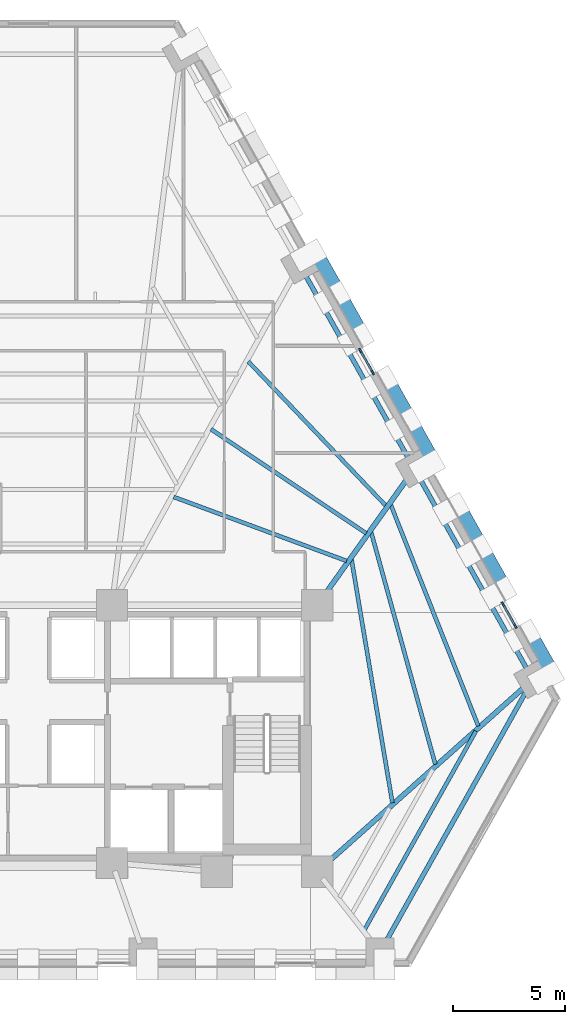
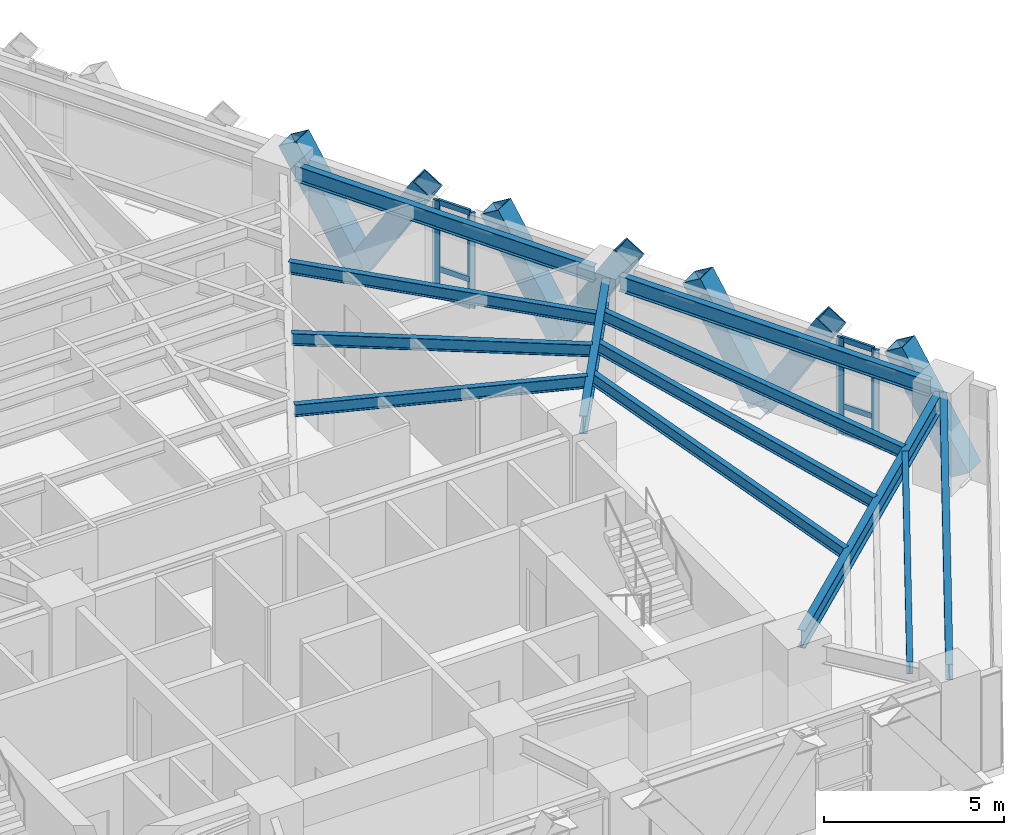
# One storey, part 4 of 13: 17 members, 12 beams, 2 elements without a shape of their own.
"""IFC4 building model written with IfcOpenShell, lengths in metres."""

from ifc_helpers import new_model, si_unit, direction, frame, origin, origin_2d, place, context, subcontext, project, spatial, rectangle, hollow_rectangle, i_section, extrude, material, material_profile, profile_set, type_object, element, aggregate, save


model = new_model("IFC4")

# Units and contexts
model_context = context("Model", 3, precision=1e-05, world=origin(), true_north=direction((0.0, 1.0)))
body_context = subcontext(model_context, "Body", "Model", "MODEL_VIEW")
ifc_project = project(units=[si_unit("LENGTHUNIT", "METRE"), si_unit("AREAUNIT", "SQUARE_METRE"), si_unit("VOLUMEUNIT", "CUBIC_METRE"), si_unit("PLANEANGLEUNIT", "RADIAN"), si_unit("MASSUNIT", "GRAM", prefix="KILO")], contexts=[model_context])

# Site, building, storey
site_placement = place(None, origin())
site = spatial("IfcSite", under=ifc_project, at=site_placement, CompositionType="ELEMENT")
building_placement = place(site_placement, origin())
building = spatial("IfcBuilding", under=site, at=building_placement, Name="Quenlor Broadcast Tower", CompositionType="ELEMENT")
storey_placement = place(building_placement, frame((0.0, 0.0, 59.10009765625)))
storey = spatial("IfcBuildingStorey", under=building, at=storey_placement, Name="L15", CompositionType="ELEMENT", Elevation=59.10009765625)

# Curtain wall, members
ifc_material_1 = material(Name="Architectural Terracotta and Low-E Glazing", Category="masonry")
curtain_wall_type = type_object("IfcCurtainWallType", Name="Unitised Terracotta Curtain Wall System Z1", PredefinedType="NOTDEFINED", material=ifc_material_1)
curtain_wall_1_placement = place(storey_placement, origin())
curtain_wall_1 = element("IfcCurtainWall", 1, at=curtain_wall_1_placement, inside=storey, type_object=curtain_wall_type, Name="L15 Curtain Wall CW1 (L15-NEC-G1)", PredefinedType="NOTDEFINED")
ifc_material_2 = material(Name="Aluminium 6063-T6", Category="aluminium")
ifc_material_profile_1 = material_profile(ifc_material_2, rectangle(XDim=0.080078125, YDim=0.219970703125, at=origin_2d()))
ifc_profile_set_1 = profile_set([ifc_material_profile_1], Name="Aluminium 6063-T6 MULL80x220")
member_type_1 = type_object("IfcMemberType", Name="CW1 Aluminium Mullion MULL_CW1", PredefinedType="MULLION", material=ifc_profile_set_1)
member_1_placement = place(storey_placement, frame((21.277099609375, -4.75244140625, 0.0), z_axis=(0.0, 0.0, 1.0), x_axis=(0.871566703483, 0.490276943553, 0.0)))
member_1 = element("IfcMember", 2, at=member_1_placement, type_object=member_type_1, Name="CW1 mullion 1", PredefinedType="MULLION", context=body_context, shape_type="SweptSolid", body=[
    extrude(rectangle(XDim=0.080078125, YDim=0.219970703125, at=origin_2d()), origin(), (0.0, 0.0, 1.0), 3.25),
])
member_2_placement = place(storey_placement, frame((21.830810546875, -5.73681640625, 0.0), z_axis=(0.0, 0.0, 1.0), x_axis=(0.871566703483, 0.490276943553, 0.0)))
member_2 = element("IfcMember", 3, at=member_2_placement, type_object=member_type_1, Name="CW1 mullion 2", PredefinedType="MULLION", context=body_context, shape_type="SweptSolid", body=[
    extrude(rectangle(XDim=0.080078125, YDim=0.219970703125, at=origin_2d()), origin(), (0.0, 0.0, 1.0), 3.25),
])

curtain_wall_2_placement = place(storey_placement, origin())
curtain_wall_2 = element("IfcCurtainWall", 4, at=curtain_wall_2_placement, inside=storey, type_object=curtain_wall_type, Name="L15 Curtain Wall CW1 (L15-NE-G1)", PredefinedType="NOTDEFINED")
member_3_placement = place(storey_placement, frame((14.8837890625, 6.61376953125, 0.0), z_axis=(0.0, 0.0, 1.0), x_axis=(0.871566703483, 0.490276943553, 0.0)))
member_3 = element("IfcMember", 5, at=member_3_placement, type_object=member_type_1, Name="CW1 mullion 1", PredefinedType="MULLION", context=body_context, shape_type="SweptSolid", body=[
    extrude(rectangle(XDim=0.080078125, YDim=0.219970703125, at=origin_2d()), origin(), (0.0, 0.0, 1.0), 3.25),
])
member_4_placement = place(storey_placement, frame((15.4375, 5.62939453125, 0.0), z_axis=(0.0, 0.0, 1.0), x_axis=(0.871566703483, 0.490276943553, 0.0)))
member_4 = element("IfcMember", 6, at=member_4_placement, type_object=member_type_1, Name="CW1 mullion 2", PredefinedType="MULLION", context=body_context, shape_type="SweptSolid", body=[
    extrude(rectangle(XDim=0.080078125, YDim=0.219970703125, at=origin_2d()), origin(), (0.0, 0.0, 1.0), 3.25),
])

# Member
ifc_material_3 = material(Name="Aluminium 6063-T6", Category="aluminium")
ifc_material_profile_2 = material_profile(ifc_material_3, rectangle(XDim=0.080078125, YDim=0.179931640625, at=origin_2d()))
ifc_profile_set_2 = profile_set([ifc_material_profile_2], Name="Aluminium 6063-T6 TRAN80x180")
member_type_2 = type_object("IfcMemberType", Name="CW1 Aluminium Transom TRAN_CW1", PredefinedType="USERDEFINED", material=ifc_profile_set_2)
member_5_placement = place(storey_placement, frame((21.296875, -4.787353515625, 0.039794921875), z_axis=(0.490239146026, -0.87158796441, 0.0), x_axis=(0.87158796441, 0.490239146026, 0.0)))
member_5 = element("IfcMember", 7, at=member_5_placement, type_object=member_type_2, Name="CW1 transom 1.1", ObjectType="TRANSOM", PredefinedType="USERDEFINED", context=body_context, shape_type="SweptSolid", body=[
    extrude(rectangle(XDim=0.080078125, YDim=0.179931640625, at=origin_2d()), origin(), (0.0, 0.0, 1.0), 1.04931640625),
])

member_6_placement = place(storey_placement, frame((21.296875, -4.787353515625, 0.949951171875), z_axis=(0.490239146026, -0.87158796441, 0.0), x_axis=(0.87158796441, 0.490239146026, 0.0)))
member_6 = element("IfcMember", 8, at=member_6_placement, type_object=member_type_2, Name="CW1 transom 1.2", ObjectType="TRANSOM", PredefinedType="USERDEFINED", context=body_context, shape_type="SweptSolid", body=[
    extrude(rectangle(XDim=0.080078125, YDim=0.179931640625, at=origin_2d()), origin(), (0.0, 0.0, 1.0), 1.04931640625),
])

member_7_placement = place(storey_placement, frame((21.296875, -4.787353515625, 3.2099609375), z_axis=(0.490239146026, -0.87158796441, 0.0), x_axis=(0.87158796441, 0.490239146026, 0.0)))
member_7 = element("IfcMember", 9, at=member_7_placement, type_object=member_type_2, Name="CW1 transom 1.3", ObjectType="TRANSOM", PredefinedType="USERDEFINED", context=body_context, shape_type="SweptSolid", body=[
    extrude(rectangle(XDim=0.080078125, YDim=0.179931640625, at=origin_2d()), origin(), (0.0, 0.0, 1.0), 1.04931640625),
])

aggregate(curtain_wall_1, [member_1, member_2, member_5, member_6, member_7])

member_8_placement = place(storey_placement, frame((14.9033203125, 6.578857421875, 0.039794921875), z_axis=(0.490239146026, -0.87158796441, 0.0), x_axis=(0.87158796441, 0.490239146026, 0.0)))
member_8 = element("IfcMember", 10, at=member_8_placement, type_object=member_type_2, Name="CW1 transom 1.1", ObjectType="TRANSOM", PredefinedType="USERDEFINED", context=body_context, shape_type="SweptSolid", body=[
    extrude(rectangle(XDim=0.080078125, YDim=0.179931640625, at=origin_2d()), origin(), (0.0, 0.0, 1.0), 1.04931640625),
])

member_9_placement = place(storey_placement, frame((14.9033203125, 6.578857421875, 0.949951171875), z_axis=(0.490239146026, -0.87158796441, 0.0), x_axis=(0.87158796441, 0.490239146026, 0.0)))
member_9 = element("IfcMember", 11, at=member_9_placement, type_object=member_type_2, Name="CW1 transom 1.2", ObjectType="TRANSOM", PredefinedType="USERDEFINED", context=body_context, shape_type="SweptSolid", body=[
    extrude(rectangle(XDim=0.080078125, YDim=0.179931640625, at=origin_2d()), origin(), (0.0, 0.0, 1.0), 1.04931640625),
])

member_10_placement = place(storey_placement, frame((14.9033203125, 6.578857421875, 3.2099609375), z_axis=(0.490239146026, -0.87158796441, 0.0), x_axis=(0.87158796441, 0.490239146026, 0.0)))
member_10 = element("IfcMember", 12, at=member_10_placement, type_object=member_type_2, Name="CW1 transom 1.3", ObjectType="TRANSOM", PredefinedType="USERDEFINED", context=body_context, shape_type="SweptSolid", body=[
    extrude(rectangle(XDim=0.080078125, YDim=0.179931640625, at=origin_2d()), origin(), (0.0, 0.0, 1.0), 1.04931640625),
])

aggregate(curtain_wall_2, [member_3, member_4, member_8, member_9, member_10])

# Members
ifc_material_4 = material(Name="Steel S355", Category="steel")
ifc_material_profile_3 = material_profile(ifc_material_4, hollow_rectangle(XDim=0.679931640625, YDim=0.679931640625, WallThickness=0.034912109375, at=origin_2d()))
ifc_profile_set_3 = profile_set([ifc_material_profile_3], Name="Steel S355 RHS680x680x35")
member_type_3 = type_object("IfcMemberType", Name="Perimeter Diagonal Lattice Brace Z1 Steel S355 RHS680x35", PredefinedType="BRACE", material=ifc_profile_set_3)
member_11_placement = place(storey_placement, frame((13.89990234375, 9.168212890625, -0.1201171875), z_axis=(-0.256375341489, 0.45579159737, 0.852364771705), x_axis=(-0.871581609758, -0.490250443683, 0.0)))
element("IfcMember", 13, at=member_11_placement, inside=storey, type_object=member_type_3, Name="L15 Perimeter Diamond Lattice NE-C2B", PredefinedType="BRACE", context=body_context, shape_type="SweptSolid", body=[
    extrude(hollow_rectangle(XDim=0.679931640625, YDim=0.679931640625, WallThickness=0.034912109375, at=origin_2d()), origin(), (0.0, 0.0, 1.0), 4.106201171875),
])
member_12_placement = place(storey_placement, frame((13.912841796875, 9.1455078125, -0.1201171875), z_axis=(0.256368393635, -0.455838699906, 0.852341672343), x_axis=(0.871608931644, 0.490201866865, 0.0)))
element("IfcMember", 14, at=member_12_placement, inside=storey, type_object=member_type_3, Name="L15 Perimeter Diamond Lattice NE-C3S", PredefinedType="BRACE", context=body_context, shape_type="SweptSolid", body=[
    extrude(hollow_rectangle(XDim=0.679931640625, YDim=0.679931640625, WallThickness=0.034912109375, at=origin_2d()), origin(), (0.0, 0.0, 1.0), 4.1064453125),
])
for number, where, z_axis, x_axis, name in (
    (15, (17.0966796875, 3.485107421875, -0.1201171875), (-0.256375341489, 0.45579159737, 0.852364771705), (-0.871581609758, -0.490250443683, 0.0), "L15 Perimeter Diamond Lattice NE-C3B"),
    (16, (17.109619140625, 3.46240234375, -0.1201171875), (0.256375341489, -0.45579159737, 0.852364771705), (0.871581609758, 0.490250443683, 0.0), "L15 Perimeter Diamond Lattice NE-C4S"),
    (17, (20.29345703125, -2.197998046875, -0.1201171875), (-0.256375341489, 0.45579159737, 0.852364771705), (-0.871581609758, -0.490250443683, 0.0), "L15 Perimeter Diamond Lattice NE-C4B"),
    (18, (20.306396484375, -2.220947265625, -0.1201171875), (0.256375341489, -0.45579159737, 0.852364771705), (0.871581609758, 0.490250443683, 0.0), "L15 Perimeter Diamond Lattice NE-C5S"),
):
    element("IfcMember", number, at=place(storey_placement, frame(where, z_axis=z_axis, x_axis=x_axis)), inside=storey, type_object=member_type_3, Name=name, PredefinedType="BRACE", context=body_context, shape_type="SweptSolid", body=[
        extrude(hollow_rectangle(XDim=0.679931640625, YDim=0.679931640625, WallThickness=0.034912109375, at=origin_2d()), origin(), (0.0, 0.0, 1.0), 4.106201171875),
    ])
member_13_placement = place(storey_placement, frame((23.490234375, -7.88134765625, -0.1201171875), z_axis=(-0.256368393635, 0.455838699906, 0.852341672343), x_axis=(-0.871608931644, -0.490201866865, 0.0)))
element("IfcMember", 19, at=member_13_placement, inside=storey, type_object=member_type_3, Name="L15 Perimeter Diamond Lattice NE-C5B", PredefinedType="BRACE", context=body_context, shape_type="SweptSolid", body=[
    extrude(hollow_rectangle(XDim=0.679931640625, YDim=0.679931640625, WallThickness=0.034912109375, at=origin_2d()), origin(), (0.0, 0.0, 1.0), 4.1064453125),
])

# Beams
ifc_material_5 = material(Name="Steel S355", Category="steel")
ifc_material_profile_4 = material_profile(ifc_material_5, i_section(OverallWidth=0.208984375, OverallDepth=0.532958984375, WebThickness=0.01025390625, FlangeThickness=0.015625, FilletRadius=0.013916015625, at=origin_2d()))
ifc_profile_set_4 = profile_set([ifc_material_profile_4], Name="Steel S355 530UB92.4")
beam_type_1 = type_object("IfcBeamType", Name="Perimeter Spandrel Beam Z1 Steel S355 530UB92.4", PredefinedType="SPANDREL", material=ifc_profile_set_4)
beam_1_placement = place(storey_placement, frame((15.965576171875, -19.992431640625, 2.9833984375), z_axis=(0.489090917871, 0.87223280955, 0.0), x_axis=(-0.87223280955, 0.489090917871, 0.0)))
element("IfcBeam", 20, at=beam_1_placement, inside=storey, type_object=beam_type_1, Name="L15 Spandrel Beam S4-NE1", PredefinedType="SPANDREL", context=body_context, shape_type="SweptSolid", body=[
    extrude(i_section(OverallWidth=0.208984375, OverallDepth=0.532958984375, WebThickness=0.01025390625, FlangeThickness=0.015625, FilletRadius=0.013916015625, at=origin_2d()), origin(), (0.0, 0.0, 1.0), 13.187744140625),
])
beam_2_placement = place(storey_placement, frame((22.4150390625, -7.77490234375, 2.9833984375), z_axis=(-0.490257767622, 0.871577490121, 0.0), x_axis=(-0.871577490121, -0.490257767622, 0.0)))
element("IfcBeam", 21, at=beam_2_placement, inside=storey, type_object=beam_type_1, Name="L15 Spandrel Beam NE1-NE2", PredefinedType="SPANDREL", context=body_context, shape_type="SweptSolid", body=[
    extrude(i_section(OverallWidth=0.208984375, OverallDepth=0.532958984375, WebThickness=0.01025390625, FlangeThickness=0.015625, FilletRadius=0.013916015625, at=origin_2d()), origin(), (0.0, 0.0, 1.0), 10.015380859375),
])
beam_3_placement = place(storey_placement, frame((17.102783203125, 1.6689453125, 2.9833984375), z_axis=(-0.490257642051, 0.871577560755, 0.0), x_axis=(-0.871577560755, -0.490257642051, 0.0)))
element("IfcBeam", 22, at=beam_3_placement, inside=storey, type_object=beam_type_1, Name="L15 Spandrel Beam NE2-NE3", PredefinedType="SPANDREL", context=body_context, shape_type="SweptSolid", body=[
    extrude(i_section(OverallWidth=0.208984375, OverallDepth=0.532958984375, WebThickness=0.01025390625, FlangeThickness=0.015625, FilletRadius=0.013916015625, at=origin_2d()), origin(), (0.0, 0.0, 1.0), 9.665771484375),
])
ifc_material_6 = material(Name="Steel S355", Category="steel")
ifc_material_profile_5 = material_profile(ifc_material_6, i_section(OverallWidth=0.177978515625, OverallDepth=0.406494140625, WebThickness=0.0078125, FlangeThickness=0.0126953125, FilletRadius=0.011474609375, at=origin_2d()))
ifc_profile_set_5 = profile_set([ifc_material_profile_5], Name="Steel S355 410UB59.7")
beam_type_2 = type_object("IfcBeamType", Name="Tower Composite Joist Z1 Steel S355 410UB59.7", PredefinedType="JOIST", material=ifc_profile_set_5)
beam_4_placement = place(storey_placement, frame((14.268310546875, -2.81640625, 3.046630859375), z_axis=(-0.937824633945, 0.347109429383, 0.0), x_axis=(-0.347109429383, -0.937824633945, 0.0)))
element("IfcBeam", 23, at=beam_4_placement, inside=storey, type_object=beam_type_2, Name="L15 Secondary Composite Joist 10", PredefinedType="JOIST", context=body_context, shape_type="SweptSolid", body=[
    extrude(i_section(OverallWidth=0.177978515625, OverallDepth=0.406494140625, WebThickness=0.0078125, FlangeThickness=0.0126953125, FilletRadius=0.011474609375, at=origin_2d()), origin(), (0.0, 0.0, 1.0), 8.26513671875),
])
beam_5_placement = place(storey_placement, frame((15.147705078125, -1.577392578125, 3.046630859375), z_axis=(-0.830625844363, 0.556830949819, 0.0), x_axis=(-0.556830949819, -0.830625844363, 0.0)))
element("IfcBeam", 24, at=beam_5_placement, inside=storey, type_object=beam_type_2, Name="L15 Secondary Composite Joist 11", PredefinedType="JOIST", context=body_context, shape_type="SweptSolid", body=[
    extrude(i_section(OverallWidth=0.177978515625, OverallDepth=0.406494140625, WebThickness=0.0078125, FlangeThickness=0.0126953125, FilletRadius=0.011474609375, at=origin_2d()), origin(), (0.0, 0.0, 1.0), 8.374755859375),
])
beam_6_placement = place(storey_placement, frame((16.029541015625, -0.341796875, 3.046630859375), z_axis=(-0.690241086162, 0.723579465556, 0.0), x_axis=(-0.723579465556, -0.690241086162, 0.0)))
element("IfcBeam", 25, at=beam_6_placement, inside=storey, type_object=beam_type_2, Name="L15 Secondary Composite Joist 12", PredefinedType="JOIST", context=body_context, shape_type="SweptSolid", body=[
    extrude(i_section(OverallWidth=0.177978515625, OverallDepth=0.406494140625, WebThickness=0.0078125, FlangeThickness=0.0126953125, FilletRadius=0.011474609375, at=origin_2d()), origin(), (0.0, 0.0, 1.0), 8.93408203125),
])
beam_7_placement = place(storey_placement, frame((16.31982421875, -13.65478515625, 3.046630859375), z_axis=(-0.16559360599, 0.986194077074, 0.0), x_axis=(-0.986194077074, -0.16559360599, 0.0)))
element("IfcBeam", 26, at=beam_7_placement, inside=storey, type_object=beam_type_2, Name="L15 Secondary Composite Joist 16", PredefinedType="JOIST", context=body_context, shape_type="SweptSolid", body=[
    extrude(i_section(OverallWidth=0.177978515625, OverallDepth=0.406494140625, WebThickness=0.0078125, FlangeThickness=0.0126953125, FilletRadius=0.011474609375, at=origin_2d()), origin(), (0.0, 0.0, 1.0), 11.06787109375),
])
beam_8_placement = place(storey_placement, frame((18.2451171875, -11.93310546875, 3.046630859375), z_axis=(-0.266390054368, 0.963865311615, 0.0), x_axis=(-0.963865311615, -0.266390054368, 0.0)))
element("IfcBeam", 27, at=beam_8_placement, inside=storey, type_object=beam_type_2, Name="L15 Secondary Composite Joist 17", PredefinedType="JOIST", context=body_context, shape_type="SweptSolid", body=[
    extrude(i_section(OverallWidth=0.177978515625, OverallDepth=0.406494140625, WebThickness=0.0078125, FlangeThickness=0.0126953125, FilletRadius=0.011474609375, at=origin_2d()), origin(), (0.0, 0.0, 1.0), 10.80810546875),
])
beam_9_placement = place(storey_placement, frame((20.170166015625, -10.212158203125, 3.046630859375), z_axis=(-0.367884833597, 0.929871361646, 0.0), x_axis=(-0.929871361646, -0.367884833597, 0.0)))
element("IfcBeam", 28, at=beam_9_placement, inside=storey, type_object=beam_type_2, Name="L15 Secondary Composite Joist 18", PredefinedType="JOIST", context=body_context, shape_type="SweptSolid", body=[
    extrude(i_section(OverallWidth=0.177978515625, OverallDepth=0.406494140625, WebThickness=0.0078125, FlangeThickness=0.0126953125, FilletRadius=0.011474609375, at=origin_2d()), origin(), (0.0, 0.0, 1.0), 10.669921875),
])
beam_10_placement = place(storey_placement, frame((15.072265625, -19.34423828125, 3.046630859375), z_axis=(0.489081877778, 0.872237878579, 0.0), x_axis=(-0.872237878579, 0.489081877778, 0.0)))
element("IfcBeam", 29, at=beam_10_placement, inside=storey, type_object=beam_type_2, Name="L15 Secondary Composite Joist 24", PredefinedType="JOIST", context=body_context, shape_type="SweptSolid", body=[
    extrude(i_section(OverallWidth=0.177978515625, OverallDepth=0.406494140625, WebThickness=0.0078125, FlangeThickness=0.0126953125, FilletRadius=0.011474609375, at=origin_2d()), origin(), (0.0, 0.0, 1.0), 10.205810546875),
])
ifc_material_7 = material(Name="Steel S355", Category="steel")
ifc_material_profile_6 = material_profile(ifc_material_7, i_section(OverallWidth=0.22900390625, OverallDepth=0.611572265625, WebThickness=0.011962890625, FlangeThickness=0.01953125, FilletRadius=0.013916015625, at=origin_2d()))
ifc_profile_set_6 = profile_set([ifc_material_profile_6], Name="Steel S355 610UB125")
beam_type_3 = type_object("IfcBeamType", Name="Tower Primary Floor Beam Z1 Steel S355 610UB125", PredefinedType="BEAM", material=ifc_profile_set_6)
beam_11_placement = place(storey_placement, frame((22.31005859375, -8.40478515625, 2.944091796875), z_axis=(-0.746413754585, -0.665482161268, 0.0), x_axis=(0.665482161268, -0.746413754585, 0.0)))
element("IfcBeam", 30, at=beam_11_placement, inside=storey, type_object=beam_type_3, Name="L15 Primary Radial Beam NE1", PredefinedType="BEAM", context=body_context, shape_type="SweptSolid", body=[
    extrude(i_section(OverallWidth=0.22900390625, OverallDepth=0.611572265625, WebThickness=0.011962890625, FlangeThickness=0.01953125, FilletRadius=0.013916015625, at=origin_2d()), origin(), (0.0, 0.0, 1.0), 12.159912109375),
])
beam_12_placement = place(storey_placement, frame((17.06591796875, 0.977783203125, 2.944091796875), z_axis=(-0.580212680853, -0.814465005373, 0.0), x_axis=(0.814465005373, -0.580212680853, 0.0)))
element("IfcBeam", 31, at=beam_12_placement, inside=storey, type_object=beam_type_3, Name="L15 Primary Radial Beam NE2", PredefinedType="BEAM", context=body_context, shape_type="SweptSolid", body=[
    extrude(i_section(OverallWidth=0.22900390625, OverallDepth=0.611572265625, WebThickness=0.011962890625, FlangeThickness=0.01953125, FilletRadius=0.013916015625, at=origin_2d()), origin(), (0.0, 0.0, 1.0), 6.7138671875),
])

save(model, "model.ifc")
